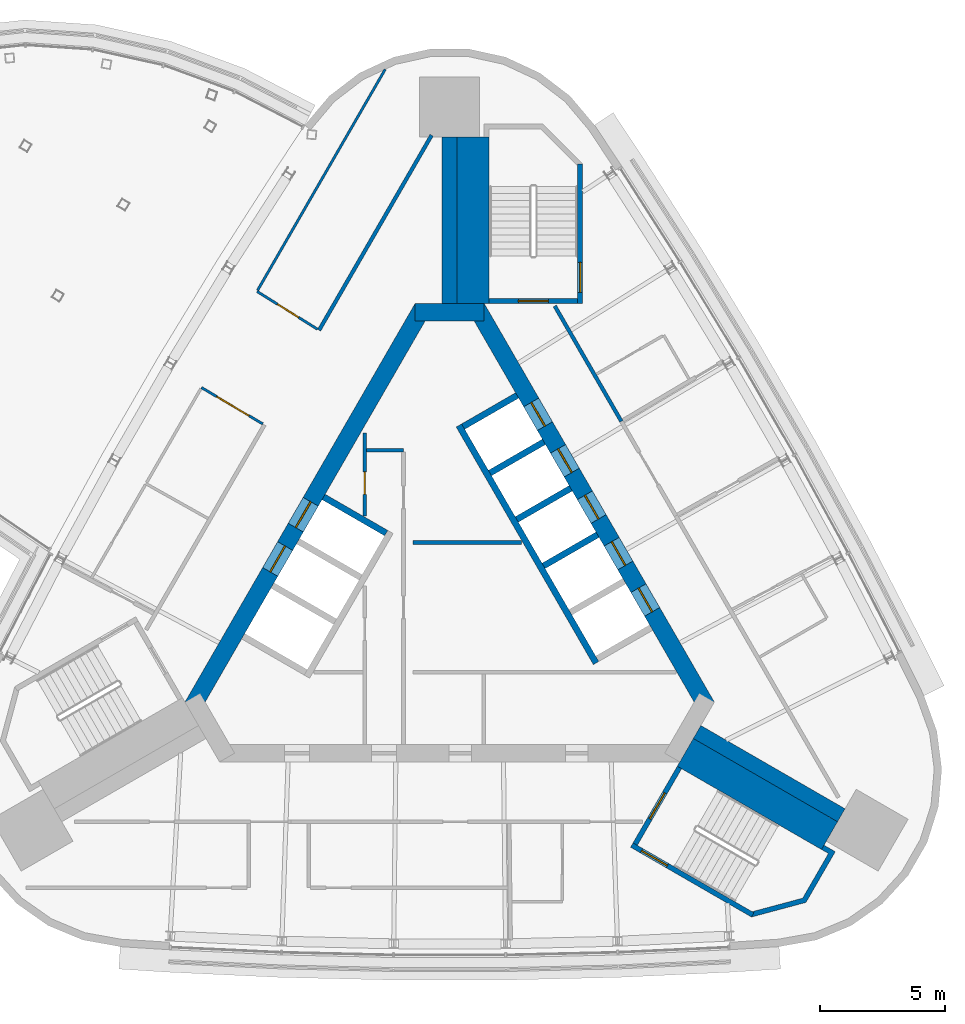
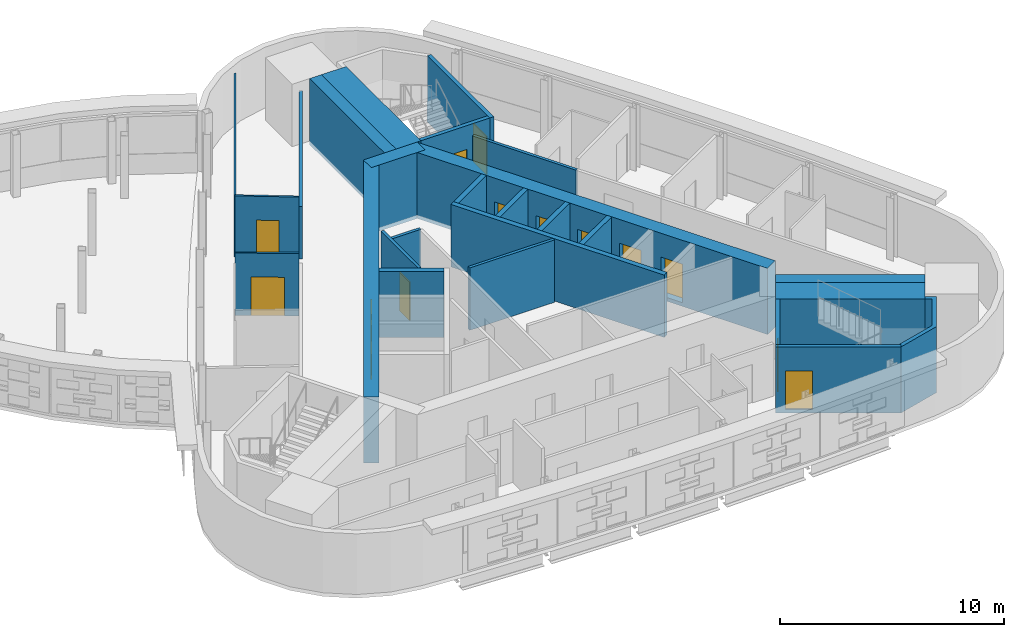
# One storey, part 10 of 13: 26 walls, 14 doors, 14 openings.
"""IFC4 building model written with IfcOpenShell, lengths in metres."""

from ifc_helpers import new_model, si_unit, direction, frame, frame_2d, origin, place, context, subcontext, project, spatial, polyline, rectangle, outline, extrude, material, layer, layer_set, type_object, element, fill, save


model = new_model("IFC4")

# Units and contexts
model_context = context("Model", 3, precision=1e-05, world=origin(), true_north=direction((0.0, 1.0)))
body_context = subcontext(model_context, "Body", "Model", "MODEL_VIEW")
ifc_project = project(units=[si_unit("LENGTHUNIT", "METRE"), si_unit("AREAUNIT", "SQUARE_METRE"), si_unit("VOLUMEUNIT", "CUBIC_METRE"), si_unit("PLANEANGLEUNIT", "RADIAN"), si_unit("MASSUNIT", "GRAM", prefix="KILO")], contexts=[model_context])

# Site, building, storey
site_placement = place(None, origin())
site = spatial("IfcSite", under=ifc_project, at=site_placement, CompositionType="ELEMENT")
building_placement = place(site_placement, origin())
building = spatial("IfcBuilding", under=site, at=building_placement, Name="Noor Cloister Tower", CompositionType="ELEMENT")
storey_placement = place(building_placement, frame((0.0, 0.0, 263.39990234375)))
storey = spatial("IfcBuildingStorey", under=building, at=storey_placement, Name="L67", CompositionType="ELEMENT", Elevation=263.39990234375)

# Walls
ifc_material_1 = material(Name="Concrete C60/75", Category="concrete")
ifc_layer_1 = layer(ifc_material_1, 0.60009765625)
ifc_layer_set_1 = layer_set([ifc_layer_1], Name="Buttress wall 600 C60/75")
wall_type_1 = type_object("IfcWallType", Name="Buttress wall 600 C60/75", PredefinedType="SHEAR", material=ifc_layer_set_1)
wall_1_placement = place(storey_placement, frame((0.0, 11.456298828125, -0.199951171875), z_axis=(0.0, 0.0, 1.0), x_axis=(0.0, 1.0, 0.0)))
element("IfcWall", 1, at=wall_1_placement, inside=storey, type_object=wall_type_1, Name="Buttress wall N L67", PredefinedType="SHEAR", context=body_context, shape_type="SweptSolid", body=[
    extrude(rectangle(XDim=6.6787109375, YDim=0.60009765625, at=frame_2d((3.33935546875, 0.0))), origin(), (0.0, 0.0, 1.0), 3.60009765625),
])
wall_2_placement = place(storey_placement, frame((9.921630859375, -5.728271484375, -0.199951171875), z_axis=(0.0, 0.0, 1.0), x_axis=(0.866032176823, -0.499988268569, 0.0)))
element("IfcWall", 2, at=wall_2_placement, inside=storey, type_object=wall_type_1, Name="Buttress wall SE L67", PredefinedType="SHEAR", context=body_context, shape_type="SweptSolid", body=[
    extrude(rectangle(XDim=6.678466796875, YDim=0.60009765625, at=frame_2d((3.33935546875, 0.0))), origin(), (0.0, 0.0, 1.0), 3.60009765625),
])

# Wall, opening, door
ifc_material_2 = material(Name="Concrete C30/37", Category="concrete")
ifc_layer_2 = layer(ifc_material_2, 0.14990234375)
ifc_layer_set_2 = layer_set([ifc_layer_2], Name="Core partition 150 C30/37")
wall_type_2 = type_object("IfcWallType", Name="Core partition 150 C30/37", PredefinedType="PARTITIONING", material=ifc_layer_set_2)
wall_3_placement = place(storey_placement, frame((-3.40380859375, 6.260986328125, 0.0), z_axis=(0.0, 0.0, 1.0), x_axis=(0.0, -1.0, 0.0)))
wall_3 = element("IfcWall", 3, at=wall_3_placement, inside=storey, type_object=wall_type_2, Name="Core room partition L67 3", PredefinedType="PARTITIONING", context=body_context, shape_type="SweptSolid", body=[
    extrude(rectangle(XDim=3.3271484375, YDim=0.14990234375, at=frame_2d((1.66357421875, 0.0))), origin(), (0.0, 0.0, 1.0), 3.400146484375),
])
opening_1_placement = place(wall_3_placement, frame((1.55712890625, 0.0, 0.0)))
opening_1 = element("IfcOpeningElement", 4, at=opening_1_placement, cuts=wall_3, Name="Opening L67-907", PredefinedType="OPENING", context=body_context, shape_type="SweptSolid", body=[
    extrude(rectangle(XDim=0.89990234375, YDim=2.10009765625, at=frame_2d((0.449951171875, 1.050048828125))), frame((0.0, 0.0849609375, 0.0), z_axis=(0.0, -1.0, 0.0), x_axis=(1.0, 0.0, 0.0)), (0.0, 0.0, 1.0), 0.169921875),
])
ifc_material_3 = material(Name="Steel", Category="steel")
door_type_1 = type_object("IfcDoorType", Name="Core door 900 x 2100 FD120", OperationType="SINGLE_SWING_LEFT", PredefinedType="DOOR", material=ifc_material_3)
door_1_placement = place(opening_1_placement, origin())
door_1 = element("IfcDoor", 5, at=door_1_placement, inside=storey, type_object=door_type_1, Name="Core door 7 L67", OperationType="SINGLE_SWING_LEFT", OverallHeight=2.10009765625, OverallWidth=0.89990234375, PredefinedType="DOOR", context=body_context, shape_type="SweptSolid", body=[
    extrude(rectangle(XDim=0.89990234375, YDim=2.10009765625, at=frame_2d((0.449951171875, 1.050048828125))), frame((0.0, 0.02490234375, 0.0), z_axis=(0.0, -1.0, 0.0), x_axis=(1.0, 0.0, 0.0)), (0.0, 0.0, 1.0), 0.050048828125),
])
fill(opening_1, door_1)

# Walls
wall_4_placement = place(storey_placement, frame((-3.32861328125, 5.57177734375, 0.0), z_axis=(0.0, 0.0, 1.0), x_axis=(1.0, 0.0, 0.0)))
element("IfcWall", 6, at=wall_4_placement, inside=storey, type_object=wall_type_2, Name="Core room partition L67 4", PredefinedType="PARTITIONING", context=body_context, shape_type="SweptSolid", body=[
    extrude(rectangle(XDim=1.474853515625, YDim=0.14990234375, at=frame_2d((0.7373046875, 0.0))), origin(), (0.0, 0.0, 1.0), 3.400146484375),
])
wall_5_placement = place(storey_placement, frame((-1.478759765625, 1.871826171875, 0.0), z_axis=(0.0, 0.0, 1.0), x_axis=(1.0, 0.0, 0.0)))
element("IfcWall", 7, at=wall_5_placement, inside=storey, type_object=wall_type_2, Name="Core room partition L67 7", PredefinedType="PARTITIONING", context=body_context, shape_type="SweptSolid", body=[
    extrude(rectangle(XDim=4.369384765625, YDim=0.14990234375, at=frame_2d((2.1845703125, 0.0))), origin(), (0.0, 0.0, 1.0), 3.400146484375),
])

# Wall, openings, doors
ifc_material_4 = material(Name="Concrete C60/75", Category="concrete")
ifc_layer_3 = layer(ifc_material_4, 0.699951171875)
ifc_layer_set_3 = layer_set([ifc_layer_3], Name="Core wall 700 C60/75")
wall_type_3 = type_object("IfcWallType", Name="Core wall 700 C60/75", PredefinedType="SHEAR", material=ifc_layer_set_3)
wall_6_placement = place(storey_placement, frame((10.311279296875, -4.703125, -0.199951171875), z_axis=(0.0, 0.0, 1.0), x_axis=(-0.500001446645, 0.866024568562, 0.0)))
wall_6 = element("IfcWall", 8, at=wall_6_placement, inside=storey, type_object=wall_type_3, Name="Core wall L67 3", PredefinedType="SHEAR", context=body_context, shape_type="SweptSolid", body=[
    extrude(rectangle(XDim=18.45751953125, YDim=0.699951171875, at=frame_2d((9.228759765625, 0.0))), origin(), (0.0, 0.0, 1.0), 3.60009765625),
])
opening_2_placement = place(wall_6_placement, frame((4.378662109375, 0.0, 0.199951171875)))
opening_2 = element("IfcOpeningElement", 9, at=opening_2_placement, cuts=wall_6, Name="Opening L67-HR1", PredefinedType="OPENING", context=body_context, shape_type="SweptSolid", body=[
    extrude(rectangle(XDim=1.10009765625, YDim=2.10009765625, at=frame_2d((0.550048828125, 1.050048828125))), frame((0.0, 0.35986328125, 0.0), z_axis=(0.0, -1.0, 0.0), x_axis=(1.0, 0.0, 0.0)), (0.0, 0.0, 1.0), 0.719970703125),
])
opening_3_placement = place(wall_6_placement, frame((6.52880859375, 0.0, 0.199951171875)))
opening_3 = element("IfcOpeningElement", 10, at=opening_3_placement, cuts=wall_6, Name="Opening L67-HR2", PredefinedType="OPENING", context=body_context, shape_type="SweptSolid", body=[
    extrude(rectangle(XDim=1.10009765625, YDim=2.10009765625, at=frame_2d((0.550048828125, 1.050048828125))), frame((0.0, 0.35986328125, 0.0), z_axis=(0.0, -1.0, 0.0), x_axis=(1.0, 0.0, 0.0)), (0.0, 0.0, 1.0), 0.719970703125),
])
opening_4_placement = place(wall_6_placement, frame((8.6787109375, 0.0, 0.199951171875)))
opening_4 = element("IfcOpeningElement", 11, at=opening_4_placement, cuts=wall_6, Name="Opening L67-HR3", PredefinedType="OPENING", context=body_context, shape_type="SweptSolid", body=[
    extrude(rectangle(XDim=1.10009765625, YDim=2.10009765625, at=frame_2d((0.550048828125, 1.050048828125))), frame((0.0, 0.35986328125, 0.0), z_axis=(0.0, -1.0, 0.0), x_axis=(1.0, 0.0, 0.0)), (0.0, 0.0, 1.0), 0.719970703125),
])
opening_5_placement = place(wall_6_placement, frame((10.82861328125, 0.0, 0.199951171875)))
opening_5 = element("IfcOpeningElement", 12, at=opening_5_placement, cuts=wall_6, Name="Opening L67-HR4", PredefinedType="OPENING", context=body_context, shape_type="SweptSolid", body=[
    extrude(rectangle(XDim=1.10009765625, YDim=2.10009765625, at=frame_2d((0.550048828125, 1.050048828125))), frame((0.0, 0.35986328125, 0.0), z_axis=(0.0, -1.0, 0.0), x_axis=(1.0, 0.0, 0.0)), (0.0, 0.0, 1.0), 0.719970703125),
])
opening_6_placement = place(wall_6_placement, frame((12.978759765625, 0.0, 0.199951171875)))
opening_6 = element("IfcOpeningElement", 13, at=opening_6_placement, cuts=wall_6, Name="Opening L67-HR5", PredefinedType="OPENING", context=body_context, shape_type="SweptSolid", body=[
    extrude(rectangle(XDim=1.10009765625, YDim=2.10009765625, at=frame_2d((0.550048828125, 1.050048828125))), frame((0.0, 0.35986328125, 0.0), z_axis=(0.0, -1.0, 0.0), x_axis=(1.0, 0.0, 0.0)), (0.0, 0.0, 1.0), 0.719970703125),
])
ifc_material_5 = material(Name="Stainless steel", Category="steel")
door_type_2 = type_object("IfcDoorType", Name="Lift landing door 1100 x 2100", OperationType="DOUBLE_DOOR_SLIDING", PredefinedType="DOOR", material=ifc_material_5)
door_2_placement = place(opening_2_placement, origin())
door_2 = element("IfcDoor", 14, at=door_2_placement, inside=storey, type_object=door_type_2, Name="Landing door HR1 L67", OperationType="DOUBLE_DOOR_SLIDING", OverallHeight=2.10009765625, OverallWidth=1.10009765625, PredefinedType="DOOR", context=body_context, shape_type="SweptSolid", body=[
    extrude(rectangle(XDim=1.10009765625, YDim=2.10009765625, at=frame_2d((0.550048828125, 1.050048828125))), frame((0.0, 0.02490234375, 0.0), z_axis=(0.0, -1.0, 0.0), x_axis=(1.0, 0.0, 0.0)), (0.0, 0.0, 1.0), 0.050048828125),
])
fill(opening_2, door_2)
door_3_placement = place(opening_3_placement, origin())
door_3 = element("IfcDoor", 15, at=door_3_placement, inside=storey, type_object=door_type_2, Name="Landing door HR2 L67", OperationType="DOUBLE_DOOR_SLIDING", OverallHeight=2.10009765625, OverallWidth=1.10009765625, PredefinedType="DOOR", context=body_context, shape_type="SweptSolid", body=[
    extrude(rectangle(XDim=1.10009765625, YDim=2.10009765625, at=frame_2d((0.550048828125, 1.050048828125))), frame((0.0, 0.02490234375, 0.0), z_axis=(0.0, -1.0, 0.0), x_axis=(1.0, 0.0, 0.0)), (0.0, 0.0, 1.0), 0.050048828125),
])
fill(opening_3, door_3)
door_4_placement = place(opening_4_placement, origin())
door_4 = element("IfcDoor", 16, at=door_4_placement, inside=storey, type_object=door_type_2, Name="Landing door HR3 L67", OperationType="DOUBLE_DOOR_SLIDING", OverallHeight=2.10009765625, OverallWidth=1.10009765625, PredefinedType="DOOR", context=body_context, shape_type="SweptSolid", body=[
    extrude(rectangle(XDim=1.10009765625, YDim=2.10009765625, at=frame_2d((0.550048828125, 1.050048828125))), frame((0.0, 0.02490234375, 0.0), z_axis=(0.0, -1.0, 0.0), x_axis=(1.0, 0.0, 0.0)), (0.0, 0.0, 1.0), 0.050048828125),
])
fill(opening_4, door_4)
door_5_placement = place(opening_5_placement, origin())
door_5 = element("IfcDoor", 17, at=door_5_placement, inside=storey, type_object=door_type_2, Name="Landing door HR4 L67", OperationType="DOUBLE_DOOR_SLIDING", OverallHeight=2.10009765625, OverallWidth=1.10009765625, PredefinedType="DOOR", context=body_context, shape_type="SweptSolid", body=[
    extrude(rectangle(XDim=1.10009765625, YDim=2.10009765625, at=frame_2d((0.550048828125, 1.050048828125))), frame((0.0, 0.02490234375, 0.0), z_axis=(0.0, -1.0, 0.0), x_axis=(1.0, 0.0, 0.0)), (0.0, 0.0, 1.0), 0.050048828125),
])
fill(opening_5, door_5)
door_6_placement = place(opening_6_placement, origin())
door_6 = element("IfcDoor", 18, at=door_6_placement, inside=storey, type_object=door_type_2, Name="Landing door HR5 L67", OperationType="DOUBLE_DOOR_SLIDING", OverallHeight=2.10009765625, OverallWidth=1.10009765625, PredefinedType="DOOR", context=body_context, shape_type="SweptSolid", body=[
    extrude(rectangle(XDim=1.10009765625, YDim=2.10009765625, at=frame_2d((0.550048828125, 1.050048828125))), frame((0.0, 0.02490234375, 0.0), z_axis=(0.0, -1.0, 0.0), x_axis=(1.0, 0.0, 0.0)), (0.0, 0.0, 1.0), 0.050048828125),
])
fill(opening_6, door_6)

# Wall
wall_7_placement = place(storey_placement, frame((1.3857421875, 11.1064453125, -0.199951171875), z_axis=(0.0, 0.0, 1.0), x_axis=(-1.0, 0.0, 0.0)))
element("IfcWall", 19, at=wall_7_placement, inside=storey, type_object=wall_type_3, Name="Core wall L67 4", PredefinedType="SHEAR", context=body_context, shape_type="SweptSolid", body=[
    extrude(rectangle(XDim=2.771484375, YDim=0.699951171875, at=frame_2d((1.3857421875, 0.0))), origin(), (0.0, 0.0, 1.0), 3.60009765625),
])

# Wall, openings, doors
wall_8_placement = place(storey_placement, frame((-1.08251953125, 11.281494140625, -0.199951171875), z_axis=(0.0, 0.0, 1.0), x_axis=(-0.500001446645, -0.866024568562, 0.0)))
wall_8 = element("IfcWall", 20, at=wall_8_placement, inside=storey, type_object=wall_type_3, Name="Core wall L67 5", PredefinedType="SHEAR", context=body_context, shape_type="SweptSolid", body=[
    extrude(rectangle(XDim=18.45751953125, YDim=0.699951171875, at=frame_2d((9.228759765625, 0.0))), origin(), (0.0, 0.0, 1.0), 3.60009765625),
])
opening_7_placement = place(wall_8_placement, frame((8.978759765625, 0.0, 0.199951171875)))
opening_7 = element("IfcOpeningElement", 21, at=opening_7_placement, cuts=wall_8, Name="Opening L67-FF1", PredefinedType="OPENING", context=body_context, shape_type="SweptSolid", body=[
    extrude(rectangle(XDim=1.199951171875, YDim=2.10009765625, at=frame_2d((0.60009765625, 1.050048828125))), frame((0.0, 0.35986328125, 0.0), z_axis=(0.0, -1.0, 0.0), x_axis=(1.0, 0.0, 0.0)), (0.0, 0.0, 1.0), 0.719970703125),
])
opening_8_placement = place(wall_8_placement, frame((11.02880859375, 0.0, 0.199951171875)))
opening_8 = element("IfcOpeningElement", 22, at=opening_8_placement, cuts=wall_8, Name="Opening L67-FF2", PredefinedType="OPENING", context=body_context, shape_type="SweptSolid", body=[
    extrude(rectangle(XDim=1.199951171875, YDim=2.10009765625, at=frame_2d((0.60009765625, 1.050048828125))), frame((0.0, 0.35986328125, 0.0), z_axis=(0.0, -1.0, 0.0), x_axis=(1.0, 0.0, 0.0)), (0.0, 0.0, 1.0), 0.719970703125),
])
ifc_material_6 = material(Name="Stainless steel", Category="steel")
door_type_3 = type_object("IfcDoorType", Name="Lift landing door 1200 x 2100", OperationType="DOUBLE_DOOR_SLIDING", PredefinedType="DOOR", material=ifc_material_6)
door_7_placement = place(opening_7_placement, origin())
door_7 = element("IfcDoor", 23, at=door_7_placement, inside=storey, type_object=door_type_3, Name="Landing door FF1 L67", OperationType="DOUBLE_DOOR_SLIDING", OverallHeight=2.10009765625, OverallWidth=1.199951171875, PredefinedType="DOOR", context=body_context, shape_type="SweptSolid", body=[
    extrude(rectangle(XDim=1.199951171875, YDim=2.10009765625, at=frame_2d((0.60009765625, 1.050048828125))), frame((0.0, 0.02490234375, 0.0), z_axis=(0.0, -1.0, 0.0), x_axis=(1.0, 0.0, 0.0)), (0.0, 0.0, 1.0), 0.050048828125),
])
fill(opening_7, door_7)
door_8_placement = place(opening_8_placement, origin())
door_8 = element("IfcDoor", 24, at=door_8_placement, inside=storey, type_object=door_type_3, Name="Landing door FF2 L67", OperationType="DOUBLE_DOOR_SLIDING", OverallHeight=2.10009765625, OverallWidth=1.199951171875, PredefinedType="DOOR", context=body_context, shape_type="SweptSolid", body=[
    extrude(rectangle(XDim=1.199951171875, YDim=2.10009765625, at=frame_2d((0.60009765625, 1.050048828125))), frame((0.0, 0.02490234375, 0.0), z_axis=(0.0, -1.0, 0.0), x_axis=(1.0, 0.0, 0.0)), (0.0, 0.0, 1.0), 0.050048828125),
])
fill(opening_8, door_8)

# Walls
ifc_material_7 = material(Name="Fire-rated gypsum board partition on steel studs, 150 mm", Category="steel")
ifc_layer_4 = layer(ifc_material_7, 0.14990234375)
ifc_layer_set_4 = layer_set([ifc_layer_4], Name="Fire lobby wall 150")
wall_type_4 = type_object("IfcWallType", Name="Fire lobby wall 150", PredefinedType="PARTITIONING", material=ifc_layer_set_4)
wall_9_placement = place(storey_placement, frame((-0.72265625, 18.20458984375, 0.0), z_axis=(0.0, 0.0, 1.0), x_axis=(-0.500010391421, -0.866019404212, 0.0)))
element("IfcWall", 25, at=wall_9_placement, inside=storey, type_object=wall_type_4, Name="Wall L67-W21", PredefinedType="PARTITIONING", context=body_context, shape_type="SweptSolid", body=[
    extrude(rectangle(XDim=9.027587890625, YDim=0.14990234375, at=frame_2d((4.513671875, 0.0))), origin(), (0.0, 0.0, 1.0), 2.85205078125),
])
ifc_material_8 = material(Name="Gypsum board partition on steel studs, 150 mm", Category="steel")
ifc_layer_5 = layer(ifc_material_8, 0.14990234375)
ifc_layer_set_5 = layer_set([ifc_layer_5], Name="Flat wall 150")
wall_type_5 = type_object("IfcWallType", Name="Flat wall 150", PredefinedType="PARTITIONING", material=ifc_layer_set_5)
wall_10_placement = place(storey_placement, frame((6.885009765625, 6.731201171875, 0.0), z_axis=(0.0, 0.0, 1.0), x_axis=(-0.500003399299, 0.866023441189, 0.0)))
element("IfcWall", 26, at=wall_10_placement, inside=storey, type_object=wall_type_5, Name="Wall L67-W02", PredefinedType="PARTITIONING", context=body_context, shape_type="SweptSolid", body=[
    extrude(rectangle(XDim=5.3408203125, YDim=0.14990234375, at=frame_2d((2.67041015625, 0.0))), origin(), (0.0, 0.0, 1.0), 2.85205078125),
])

# Wall, opening, door
ifc_material_9 = material(Name="Gypsum board partition on steel studs, 100 mm", Category="steel")
ifc_layer_6 = layer(ifc_material_9, 0.10009765625)
ifc_layer_set_6 = layer_set([ifc_layer_6], Name="Partition 100")
wall_type_6 = type_object("IfcWallType", Name="Partition 100", PredefinedType="PARTITIONING", material=ifc_layer_set_6)
wall_11_placement = place(storey_placement, frame((-5.30029296875, 10.426025390625, 0.0), z_axis=(0.0, 0.0, 1.0), x_axis=(-0.84806062783, 0.529899208835, 0.0)))
wall_11 = element("IfcWall", 27, at=wall_11_placement, inside=storey, type_object=wall_type_6, Name="Wall L67-W24", PredefinedType="PARTITIONING", context=body_context, shape_type="SweptSolid", body=[
    extrude(rectangle(XDim=2.860595703125, YDim=0.10009765625, at=frame_2d((1.43017578125, 0.0))), origin(), (0.0, 0.0, 1.0), 3.400146484375),
])
opening_9_placement = place(wall_11_placement, frame((0.892822265625, 0.0, 0.0)))
opening_9 = element("IfcOpeningElement", 28, at=opening_9_placement, cuts=wall_11, Name="Opening L67-014", PredefinedType="OPENING", context=body_context, shape_type="SweptSolid", body=[
    extrude(rectangle(XDim=1.0, YDim=2.10009765625, at=frame_2d((0.5, 1.050048828125))), frame((0.0, 0.06005859375, 0.0), z_axis=(0.0, -1.0, 0.0), x_axis=(1.0, 0.0, 0.0)), (0.0, 0.0, 1.0), 0.1201171875),
])
ifc_material_10 = material(Name="Timber door leaf with steel frame", Category="steel")
door_type_4 = type_object("IfcDoorType", Name="Interior door 1000", OperationType="NOTDEFINED", PredefinedType="DOOR", material=ifc_material_10)
door_9_placement = place(opening_9_placement, origin())
door_9 = element("IfcDoor", 29, at=door_9_placement, inside=storey, type_object=door_type_4, Name="Door L67-014", OperationType="SINGLE_SWING_RIGHT", OverallHeight=2.10009765625, OverallWidth=1.0, PredefinedType="DOOR", context=body_context, shape_type="SweptSolid", body=[
    extrude(rectangle(XDim=1.0, YDim=2.10009765625, at=frame_2d((0.5, 1.050048828125))), frame((0.0, 0.02490234375, 0.0), z_axis=(0.0, -1.0, 0.0), x_axis=(1.0, 0.0, 0.0)), (0.0, 0.0, 1.0), 0.050048828125),
])
fill(opening_9, door_9)

wall_12_placement = place(storey_placement, frame((-7.49365234375, 6.626953125, 0.0), z_axis=(0.0, 0.0, 1.0), x_axis=(-0.860170843297, 0.510006000299, 0.0)))
wall_12 = element("IfcWall", 30, at=wall_12_placement, inside=storey, type_object=wall_type_6, Name="Wall L67-W25", PredefinedType="PARTITIONING", context=body_context, shape_type="SweptSolid", body=[
    extrude(rectangle(XDim=2.859375, YDim=0.10009765625, at=frame_2d((1.4296875, 0.0))), origin(), (0.0, 0.0, 1.0), 3.400146484375),
])
opening_10_placement = place(wall_12_placement, frame((0.64208984375, 0.0, 0.0)))
opening_10 = element("IfcOpeningElement", 31, at=opening_10_placement, cuts=wall_12, Name="Opening L67-015", PredefinedType="OPENING", context=body_context, shape_type="SweptSolid", body=[
    extrude(rectangle(XDim=1.5, YDim=2.10009765625, at=frame_2d((0.75, 1.050048828125))), frame((0.0, 0.06005859375, 0.0), z_axis=(0.0, -1.0, 0.0), x_axis=(1.0, 0.0, 0.0)), (0.0, 0.0, 1.0), 0.1201171875),
])
ifc_material_11 = material(Name="Timber door leaf with steel frame", Category="steel")
door_type_5 = type_object("IfcDoorType", Name="Double door 1500", OperationType="NOTDEFINED", PredefinedType="DOOR", material=ifc_material_11)
door_10_placement = place(opening_10_placement, origin())
door_10 = element("IfcDoor", 32, at=door_10_placement, inside=storey, type_object=door_type_5, Name="Door L67-015", OperationType="DOUBLE_DOOR_SINGLE_SWING", OverallHeight=2.10009765625, OverallWidth=1.5, PredefinedType="DOOR", context=body_context, shape_type="SweptSolid", body=[
    extrude(rectangle(XDim=1.5, YDim=2.10009765625, at=frame_2d((0.75, 1.050048828125))), frame((0.0, 0.02490234375, 0.0), z_axis=(0.0, -1.0, 0.0), x_axis=(1.0, 0.0, 0.0)), (0.0, 0.0, 1.0), 0.050048828125),
])
fill(opening_10, door_10)

# Walls
wall_13_placement = place(storey_placement, frame((-2.585693359375, 20.845947265625, 0.0), z_axis=(0.0, 0.0, 1.0), x_axis=(-0.499993724355, -0.866029026999, 0.0)))
element("IfcWall", 33, at=wall_13_placement, inside=storey, type_object=wall_type_6, Name="Wall L67-W27", PredefinedType="PARTITIONING", context=body_context, shape_type="SweptSolid", body=[
    extrude(rectangle(XDim=10.231689453125, YDim=0.10009765625, at=frame_2d((5.11572265625, 0.0))), origin(), (0.0, 0.0, 1.0), 2.85205078125),
])
ifc_material_12 = material(Name="Concrete C60/75", Category="concrete")
ifc_layer_7 = layer(ifc_material_12, 0.25)
ifc_layer_set_7 = layer_set([ifc_layer_7], Name="Shaft wall 250 C60/75")
wall_type_7 = type_object("IfcWallType", Name="Shaft wall 250 C60/75", PredefinedType="PARTITIONING", material=ifc_layer_set_7)
wall_14_placement = place(storey_placement, frame((5.931396484375, 2.18310546875, -0.199951171875), z_axis=(0.0, 0.0, 1.0), x_axis=(-0.866047370643, -0.499961950354, 0.0)))
element("IfcWall", 34, at=wall_14_placement, inside=storey, type_object=wall_type_7, Name="Lift shaft wall L67 NE 3", PredefinedType="PARTITIONING", context=body_context, shape_type="SweptSolid", body=[
    extrude(rectangle(XDim=2.500244140625, YDim=0.25, at=frame_2d((1.25, 0.0))), origin(), (0.0, 0.0, 1.0), 3.60009765625),
])
for number, where, z_axis, x_axis, name in (
    (35, (4.856201171875, 4.045166015625, -0.199951171875), (0.0, 0.0, 1.0), (-0.866022959057, -0.500004234368, 0.0), "Lift shaft wall L67 NE 4"),
    (36, (3.78125, 5.906982421875, -0.199951171875), (0.0, 0.0, 1.0), (-0.866022959057, -0.500004234368, 0.0), "Lift shaft wall L67 NE 5"),
    (37, (2.706298828125, 7.76904296875, -0.199951171875), (0.0, 0.0, 1.0), (-0.866022959057, -0.500004234368, 0.0), "Lift shaft wall L67 NE 6"),
):
    element("IfcWall", number, at=place(storey_placement, frame(where, z_axis=z_axis, x_axis=x_axis)), inside=storey, type_object=wall_type_7, Name=name, PredefinedType="PARTITIONING", context=body_context, shape_type="SweptSolid", body=[
        extrude(rectangle(XDim=2.5, YDim=0.25, at=frame_2d((1.25, 0.0))), origin(), (0.0, 0.0, 1.0), 3.60009765625),
    ])
wall_15_placement = place(storey_placement, frame((5.870361328125, -2.96142578125, 0.0), z_axis=(0.0, 0.0, 1.0), x_axis=(-0.50000615651, 0.866021849293, 0.0)))
element("IfcWall", 38, at=wall_15_placement, inside=storey, type_object=wall_type_7, Name="Lift shaft back wall L67 NE", PredefinedType="PARTITIONING", context=body_context, shape_type="SweptSolid", body=[
    extrude(rectangle(XDim=10.999755859375, YDim=0.25, at=frame_2d((5.5, 0.0))), origin(), (0.0, 0.0, 1.0), 3.400146484375),
])
wall_16_placement = place(storey_placement, frame((-5.056396484375, 3.69873046875, -0.199951171875), z_axis=(0.0, 0.0, 1.0), x_axis=(0.866032775405, -0.499987231761, 0.0)))
element("IfcWall", 39, at=wall_16_placement, inside=storey, type_object=wall_type_7, Name="Lift shaft wall L67 NW 3", PredefinedType="PARTITIONING", context=body_context, shape_type="SweptSolid", body=[
    extrude(rectangle(XDim=2.89990234375, YDim=0.25, at=frame_2d((1.449951171875, 0.0))), origin(), (0.0, 0.0, 1.0), 3.60009765625),
])
ifc_material_13 = material(Name="Concrete C60/75", Category="concrete")
ifc_layer_8 = layer(ifc_material_13, 1.285888671875)
ifc_layer_set_8 = layer_set([ifc_layer_8], Name="Stair enclosure wall 1286 C60/75")
wall_type_8 = type_object("IfcWallType", Name="Stair enclosure wall 1286 C60/75", PredefinedType="SHEAR", material=ifc_layer_set_8)
wall_17_placement = place(storey_placement, frame((0.94287109375, 11.456298828125, -0.199951171875), z_axis=(0.0, 0.0, 1.0), x_axis=(0.0, 1.0, 0.0)))
element("IfcWall", 40, at=wall_17_placement, inside=storey, type_object=wall_type_8, Name="Stair enclosure wall ST1 L67 riser side", PredefinedType="SHEAR", context=body_context, shape_type="SweptSolid", body=[
    extrude(rectangle(XDim=6.6787109375, YDim=1.28564453125, at=frame_2d((3.33935546875, 0.0))), origin(), (0.0, 0.0, 1.0), 3.60009765625),
])
wall_18_placement = place(storey_placement, frame((9.4501953125, -6.544677734375, -0.199951171875), z_axis=(0.0, 0.0, 1.0), x_axis=(0.866016347338, -0.500015685897, 0.0)))
element("IfcWall", 41, at=wall_18_placement, inside=storey, type_object=wall_type_8, Name="Stair enclosure wall ST3 L67 riser side", PredefinedType="SHEAR", context=body_context, shape_type="SweptSolid", body=[
    extrude(rectangle(XDim=6.678466796875, YDim=1.28564453125, at=frame_2d((3.33935546875, 0.0))), origin(), (0.0, 0.0, 1.0), 3.60009765625),
])

# Wall, opening, door
ifc_material_14 = material(Name="Concrete C60/75", Category="concrete")
ifc_layer_9 = layer(ifc_material_14, 0.199951171875)
ifc_layer_set_9 = layer_set([ifc_layer_9], Name="Stair enclosure wall 200 C60/75")
wall_type_9 = type_object("IfcWallType", Name="Stair enclosure wall 200 C60/75", PredefinedType="SHEAR", material=ifc_layer_set_9)
wall_19_placement = place(storey_placement, frame((5.135498046875, 11.556396484375, -0.199951171875), z_axis=(0.0, 0.0, 1.0), x_axis=(-1.0, 0.0, 0.0)))
wall_19 = element("IfcWall", 42, at=wall_19_placement, inside=storey, type_object=wall_type_9, Name="Stair enclosure wall ST1 L67 near end", PredefinedType="SHEAR", context=body_context, shape_type="SweptSolid", body=[
    extrude(rectangle(XDim=3.5498046875, YDim=0.199951171875, at=frame_2d((1.77490234375, 0.0))), origin(), (0.0, 0.0, 1.0), 3.60009765625),
])
opening_11_placement = place(wall_19_placement, frame((1.175048828125, 0.0, 0.199951171875)))
opening_11 = element("IfcOpeningElement", 43, at=opening_11_placement, cuts=wall_19, Name="Opening L67-ST1L", PredefinedType="OPENING", context=body_context, shape_type="SweptSolid", body=[
    extrude(rectangle(XDim=1.199951171875, YDim=2.10009765625, at=frame_2d((0.60009765625, 1.050048828125))), frame((0.0, 0.10986328125, 0.0), z_axis=(0.0, -1.0, 0.0), x_axis=(1.0, 0.0, 0.0)), (0.0, 0.0, 1.0), 0.219970703125),
])
ifc_material_15 = material(Name="Steel", Category="steel")
door_type_6 = type_object("IfcDoorType", Name="Stair door 1200 x 2100 FD120", OperationType="SINGLE_SWING_LEFT", PredefinedType="DOOR", material=ifc_material_15)
door_11_placement = place(opening_11_placement, origin())
door_11 = element("IfcDoor", 44, at=door_11_placement, inside=storey, type_object=door_type_6, Name="Stair door ST1 L67", OperationType="SINGLE_SWING_RIGHT", OverallHeight=2.10009765625, OverallWidth=1.199951171875, PredefinedType="DOOR", context=body_context, shape_type="SweptSolid", body=[
    extrude(rectangle(XDim=1.199951171875, YDim=2.10009765625, at=frame_2d((0.60009765625, 1.050048828125))), frame((0.0, 0.02490234375, 0.0), z_axis=(0.0, -1.0, 0.0), x_axis=(1.0, 0.0, 0.0)), (0.0, 0.0, 1.0), 0.050048828125),
])
fill(opening_11, door_11)

wall_20_placement = place(storey_placement, frame((5.235595703125, 11.456298828125, -0.199951171875), z_axis=(0.0, 0.0, 1.0), x_axis=(0.0, 1.0, 0.0)))
wall_20 = element("IfcWall", 45, at=wall_20_placement, inside=storey, type_object=wall_type_9, Name="Stair enclosure wall ST1 L67 outer side", PredefinedType="SHEAR", context=body_context, shape_type="SweptSolid", body=[
    extrude(rectangle(XDim=5.60009765625, YDim=0.199951171875, at=frame_2d((2.800048828125, 0.0))), origin(), (0.0, 0.0, 1.0), 3.60009765625),
])
opening_12_placement = place(wall_20_placement, frame((0.449951171875, 0.0, 0.199951171875)))
opening_12 = element("IfcOpeningElement", 46, at=opening_12_placement, cuts=wall_20, Name="Opening L67-ST1C", PredefinedType="OPENING", context=body_context, shape_type="SweptSolid", body=[
    extrude(rectangle(XDim=1.199951171875, YDim=2.10009765625, at=frame_2d((0.60009765625, 1.050048828125))), frame((0.0, 0.10986328125, 0.0), z_axis=(0.0, -1.0, 0.0), x_axis=(1.0, 0.0, 0.0)), (0.0, 0.0, 1.0), 0.219970703125),
])
door_12_placement = place(opening_12_placement, origin())
door_12 = element("IfcDoor", 47, at=door_12_placement, inside=storey, type_object=door_type_6, Name="Stair door ST1 L67", OperationType="SINGLE_SWING_LEFT", OverallHeight=2.10009765625, OverallWidth=1.199951171875, PredefinedType="DOOR", context=body_context, shape_type="SweptSolid", body=[
    extrude(rectangle(XDim=1.199951171875, YDim=2.10009765625, at=frame_2d((0.60009765625, 1.050048828125))), frame((0.0, 0.02490234375, 0.0), z_axis=(0.0, -1.0, 0.0), x_axis=(1.0, 0.0, 0.0)), (0.0, 0.0, 1.0), 0.050048828125),
])
fill(opening_12, door_12)

wall_21_placement = place(storey_placement, frame((7.440185546875, -10.225830078125, -0.199951171875), z_axis=(0.0, 0.0, 1.0), x_axis=(0.500022077904, 0.866012656725, 0.0)))
wall_21 = element("IfcWall", 48, at=wall_21_placement, inside=storey, type_object=wall_type_9, Name="Stair enclosure wall ST3 L67 near end", PredefinedType="SHEAR", context=body_context, shape_type="SweptSolid", body=[
    extrude(rectangle(XDim=3.550048828125, YDim=0.199951171875, at=frame_2d((1.77490234375, 0.0))), origin(), (0.0, 0.0, 1.0), 3.60009765625),
])
opening_13_placement = place(wall_21_placement, frame((1.175048828125, 0.0, 0.199951171875)))
opening_13 = element("IfcOpeningElement", 49, at=opening_13_placement, cuts=wall_21, Name="Opening L67-ST3L", PredefinedType="OPENING", context=body_context, shape_type="SweptSolid", body=[
    extrude(rectangle(XDim=1.199951171875, YDim=2.10009765625, at=frame_2d((0.60009765625, 1.050048828125))), frame((0.0, 0.10986328125, 0.0), z_axis=(0.0, -1.0, 0.0), x_axis=(1.0, 0.0, 0.0)), (0.0, 0.0, 1.0), 0.219970703125),
])
door_13_placement = place(opening_13_placement, origin())
door_13 = element("IfcDoor", 50, at=door_13_placement, inside=storey, type_object=door_type_6, Name="Stair door ST3 L67", OperationType="SINGLE_SWING_RIGHT", OverallHeight=2.10009765625, OverallWidth=1.199951171875, PredefinedType="DOOR", context=body_context, shape_type="SweptSolid", body=[
    extrude(rectangle(XDim=1.199951171875, YDim=2.10009765625, at=frame_2d((0.60009765625, 1.050048828125))), frame((0.0, 0.02490234375, 0.0), z_axis=(0.0, -1.0, 0.0), x_axis=(1.0, 0.0, 0.0)), (0.0, 0.0, 1.0), 0.050048828125),
])
fill(opening_13, door_13)

wall_22_placement = place(storey_placement, frame((7.3037109375, -10.262451171875, -0.199951171875), z_axis=(0.0, 0.0, 1.0), x_axis=(0.866026594901, -0.49999793692, 0.0)))
wall_22 = element("IfcWall", 51, at=wall_22_placement, inside=storey, type_object=wall_type_9, Name="Stair enclosure wall ST3 L67 outer side", PredefinedType="SHEAR", context=body_context, shape_type="SweptSolid", body=[
    extrude(rectangle(XDim=5.60009765625, YDim=0.199951171875, at=frame_2d((2.800048828125, 0.0))), origin(), (0.0, 0.0, 1.0), 3.60009765625),
])
opening_14_placement = place(wall_22_placement, frame((0.449951171875, 0.0, 0.199951171875)))
opening_14 = element("IfcOpeningElement", 52, at=opening_14_placement, cuts=wall_22, Name="Opening L67-ST3C", PredefinedType="OPENING", context=body_context, shape_type="SweptSolid", body=[
    extrude(rectangle(XDim=1.199951171875, YDim=2.10009765625, at=frame_2d((0.60009765625, 1.050048828125))), frame((0.0, 0.10986328125, 0.0), z_axis=(0.0, -1.0, 0.0), x_axis=(1.0, 0.0, 0.0)), (0.0, 0.0, 1.0), 0.219970703125),
])
door_14_placement = place(opening_14_placement, origin())
door_14 = element("IfcDoor", 53, at=door_14_placement, inside=storey, type_object=door_type_6, Name="Stair door ST3 L67", OperationType="SINGLE_SWING_LEFT", OverallHeight=2.10009765625, OverallWidth=1.199951171875, PredefinedType="DOOR", context=body_context, shape_type="SweptSolid", body=[
    extrude(rectangle(XDim=1.199951171875, YDim=2.10009765625, at=frame_2d((0.60009765625, 1.050048828125))), frame((0.0, 0.02490234375, 0.0), z_axis=(0.0, -1.0, 0.0), x_axis=(1.0, 0.0, 0.0)), (0.0, 0.0, 1.0), 0.050048828125),
])
fill(opening_14, door_14)

# Wall
ifc_material_16 = material(Name="Concrete C60/75", Category="concrete")
wall_type_10 = type_object("IfcWallType", Name="Stair far end wall C60/75", PredefinedType="SHEAR", material=ifc_material_16)
wall_23_placement = place(storey_placement, frame((0.0, 0.0, -0.199951171875)))
element("IfcWall", 54, at=wall_23_placement, inside=storey, type_object=wall_type_10, Name="Stair enclosure wall ST3 L67 far end", PredefinedType="SHEAR", context=body_context, shape_type="SweptSolid", body=[
    extrude(outline(polyline([(12.103515625, -13.14892578125), (14.2890625, -12.5634765625), (15.464111328125, -10.5283203125), (15.0126953125, -10.267578125), (14.91259765625, -10.440673828125), (15.19091796875, -10.601318359375), (14.1572265625, -12.3916015625), (12.131591796875, -12.934326171875), (12.20361328125, -12.975830078125), (12.20361328125, -12.975830078125), (12.20361328125, -12.975830078125), (12.20361328125, -12.975830078125), (12.20361328125, -12.975830078125), (12.20361328125, -12.975830078125), (12.20361328125, -12.975830078125), (12.20361328125, -12.975830078125), (12.20361328125, -12.975830078125), (12.20361328125, -12.975830078125), (12.20361328125, -12.975830078125), (12.20361328125, -12.975830078125), (12.20361328125, -12.975830078125), (12.20361328125, -12.975830078125), (12.20361328125, -12.975830078125), (12.20361328125, -12.975830078125), (12.20361328125, -12.975830078125), (12.103515625, -13.14892578125)])), origin(), (0.0, 0.0, 1.0), 3.60009765625),
])

save(model, "model.ifc")
